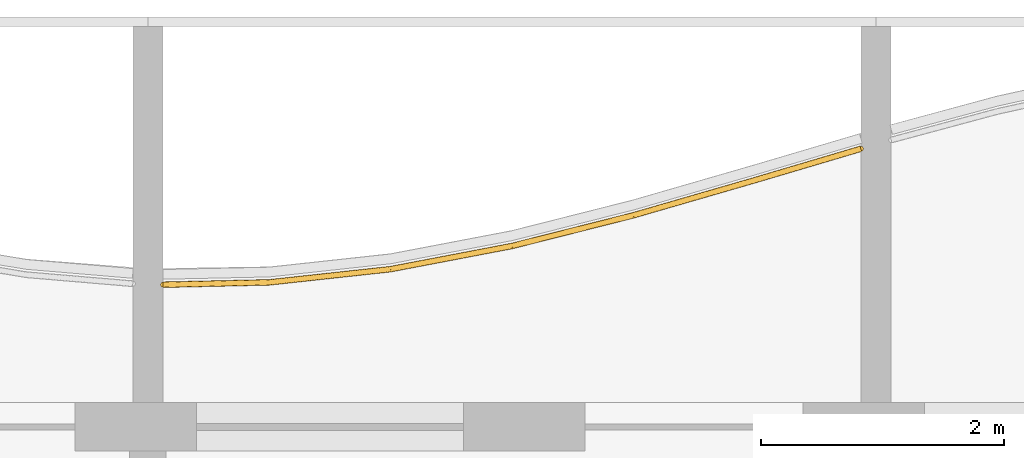
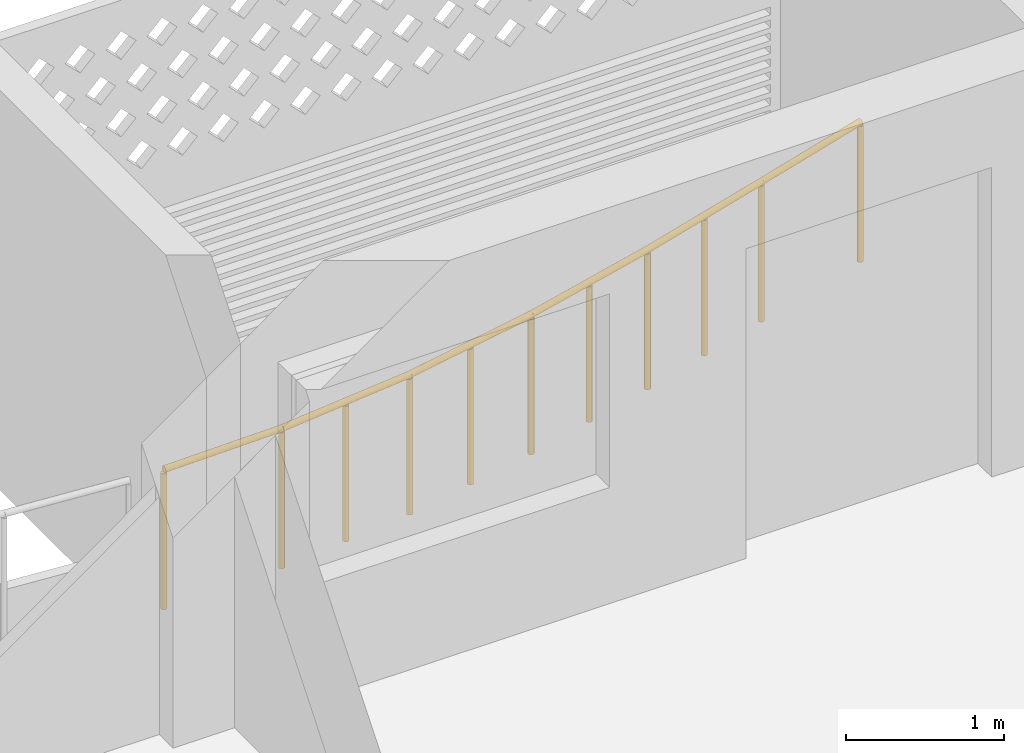
# One storey, part 21 of 32: 1 railing.
"""IFC4 building model written with IfcOpenShell, lengths in metres."""

from ifc_helpers import new_model, si_unit, direction, frame, origin, origin_2d, place, context, subcontext, project, spatial, circle, extrude, material, type_object, element, save


model = new_model("IFC4")

# Units and contexts
model_context = context("Model", 3, precision=1e-05, world=origin(), true_north=direction((0.0, 1.0)))
body_context = subcontext(model_context, "Body", "Model", "MODEL_VIEW")
ifc_project = project(units=[si_unit("LENGTHUNIT", "METRE"), si_unit("AREAUNIT", "SQUARE_METRE"), si_unit("VOLUMEUNIT", "CUBIC_METRE"), si_unit("PLANEANGLEUNIT", "RADIAN"), si_unit("MASSUNIT", "GRAM", prefix="KILO")], contexts=[model_context])

# Site, building, storey
site_placement = place(None, origin())
site = spatial("IfcSite", under=ifc_project, at=site_placement, CompositionType="ELEMENT")
building_placement = place(site_placement, origin())
building = spatial("IfcBuilding", under=site, at=building_placement, Name="Poui Terraces", CompositionType="ELEMENT")
storey_placement = place(building_placement, frame((0.0, 0.0, 125.699951171875)))
storey = spatial("IfcBuildingStorey", under=building, at=storey_placement, Name="L34", CompositionType="ELEMENT", Elevation=125.699951171875)

# Railing
ifc_material = material(Name="Painted steel fretwork", Category="steel")
railing_type = type_object("IfcRailingType", Name="BALCONY GUARD 1100", PredefinedType="GUARDRAIL", material=ifc_material)
railing_placement = place(storey_placement, frame((30.125, 43.572021484375, 0.0)))
element("IfcRailing", 1, at=railing_placement, inside=storey, type_object=railing_type, Name="BALCONY GUARD", PredefinedType="GUARDRAIL", context=body_context, shape_type="SweptSolid", body=[
    extrude(circle(Radius=0.02392578125, at=origin_2d()), frame((0.0, 0.0, 1.076171875), z_axis=(0.999757154554, 0.022037057815, 0.0), x_axis=(-0.022037057815, 0.999757154554, 0.0)), (0.0, 0.0, 1.0), 0.875244140625),
    extrude(circle(Radius=0.02392578125, at=origin_2d()), frame((0.875, 0.019287109375, 1.076171875), z_axis=(0.994124040351, 0.108246904784, 0.0), x_axis=(-0.108246904784, 0.994124040351, 0.0)), (0.0, 0.0, 1.0), 1.005859375),
    extrude(circle(Radius=0.02392578125, at=origin_2d()), frame((1.875, 0.128173828125, 1.076171875), z_axis=(0.982258715668, 0.187530838782, 0.0), x_axis=(-0.187530838782, 0.982258715668, 0.0)), (0.0, 0.0, 1.0), 1.01806640625),
    extrude(circle(Radius=0.02392578125, at=origin_2d()), frame((2.875, 0.319091796875, 1.076171875), z_axis=(0.969526767585, 0.244985401477, 0.0), x_axis=(-0.244985401477, 0.969526767585, 0.0)), (0.0, 0.0, 1.0), 1.031494140625),
    extrude(circle(Radius=0.02392578125, at=origin_2d()), frame((3.875, 0.57177734375, 1.076171875), z_axis=(0.960607111561, 0.277910016406, 0.0), x_axis=(-0.277910016406, 0.960607111561, 0.0)), (0.0, 0.0, 1.0), 1.041015625),
    extrude(circle(Radius=0.02392578125, at=origin_2d()), frame((4.875, 0.861083984375, 1.076171875), z_axis=(0.958865561228, 0.283860591647, 0.0), x_axis=(-0.283860591647, 0.958865561228, 0.0)), (0.0, 0.0, 1.0), 0.91259765625),
    extrude(circle(Radius=0.02099609375, at=origin_2d()), origin(), (0.0, 0.0, 1.0), 1.052001953125),
    extrude(circle(Radius=0.02099609375, at=origin_2d()), frame((0.875, 0.019287109375, 0.0)), (0.0, 0.0, 1.0), 1.052001953125),
    extrude(circle(Radius=0.02099609375, at=origin_2d()), frame((1.375, 0.07373046875, 0.0)), (0.0, 0.0, 1.0), 1.052001953125),
    extrude(circle(Radius=0.02099609375, at=origin_2d()), frame((1.875, 0.128173828125, 0.0)), (0.0, 0.0, 1.0), 1.052001953125),
    extrude(circle(Radius=0.02099609375, at=origin_2d()), frame((2.375, 0.2236328125, 0.0)), (0.0, 0.0, 1.0), 1.052001953125),
    extrude(circle(Radius=0.02099609375, at=origin_2d()), frame((2.875, 0.319091796875, 0.0)), (0.0, 0.0, 1.0), 1.052001953125),
    extrude(circle(Radius=0.02099609375, at=origin_2d()), frame((3.375, 0.4453125, 0.0)), (0.0, 0.0, 1.0), 1.052001953125),
    extrude(circle(Radius=0.02099609375, at=origin_2d()), frame((3.875, 0.57177734375, 0.0)), (0.0, 0.0, 1.0), 1.052001953125),
    extrude(circle(Radius=0.02099609375, at=origin_2d()), frame((4.375, 0.71630859375, 0.0)), (0.0, 0.0, 1.0), 1.052001953125),
    extrude(circle(Radius=0.02099609375, at=origin_2d()), frame((4.875, 0.861083984375, 0.0)), (0.0, 0.0, 1.0), 1.052001953125),
    extrude(circle(Radius=0.02099609375, at=origin_2d()), frame((5.75, 1.1201171875, 0.0)), (0.0, 0.0, 1.0), 1.052001953125),
])

save(model, "model.ifc")
